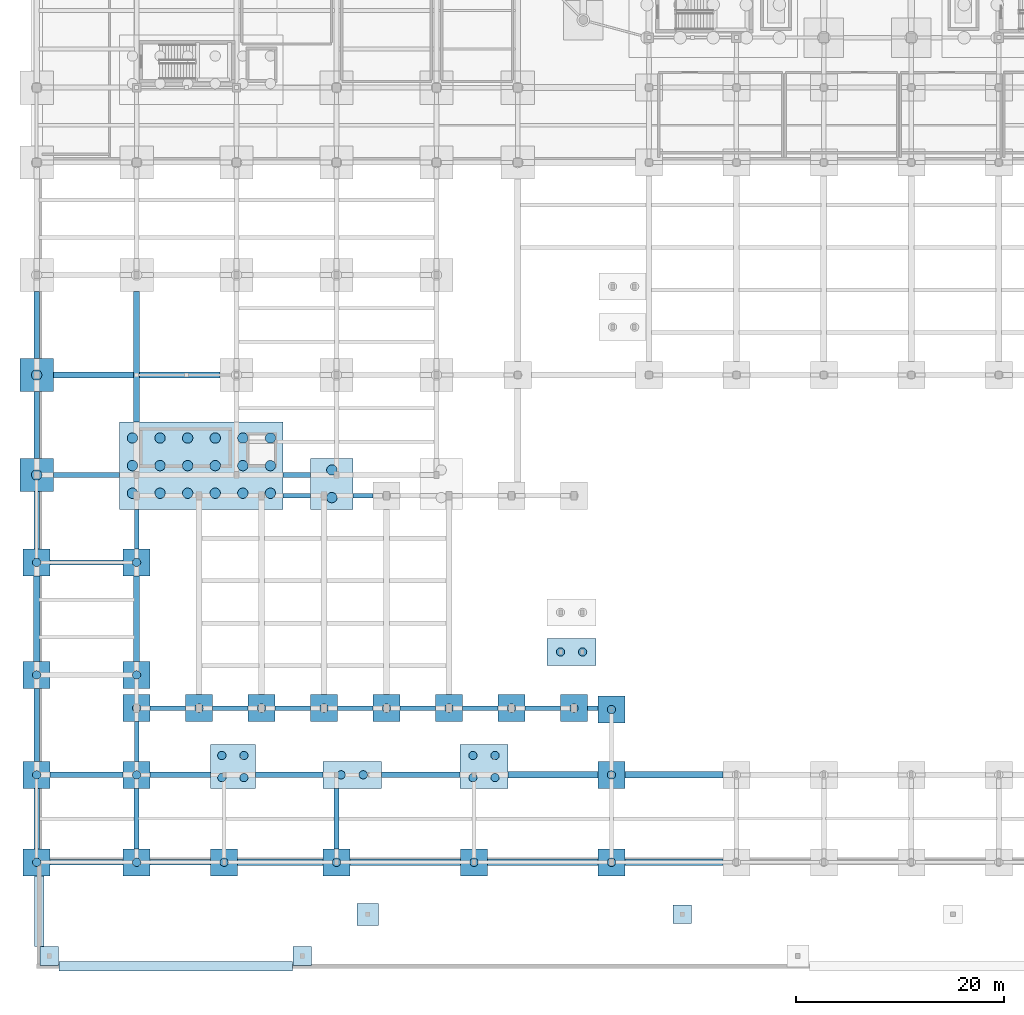
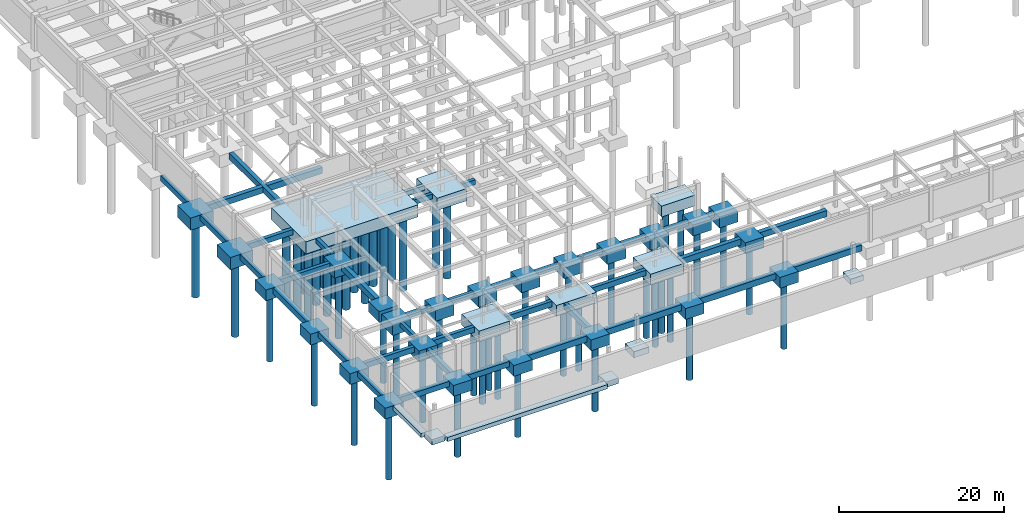
# One storey, part 1 of 37: 74 footings, 56 piles.
"""IFC4 building model written with IfcOpenShell, lengths in metres."""

from ifc_helpers import new_model, si_unit, direction, frame, origin, origin_2d, place, context, subcontext, project, spatial, rectangle, circle, extrude, material, material_profile, profile_set, type_object, element, save


model = new_model("IFC4")

# Units and contexts
model_context = context("Model", 3, precision=1e-05, world=origin(), true_north=direction((0.0, 1.0)))
body_context = subcontext(model_context, "Body", "Model", "MODEL_VIEW")
ifc_project = project(units=[si_unit("LENGTHUNIT", "METRE"), si_unit("AREAUNIT", "SQUARE_METRE"), si_unit("VOLUMEUNIT", "CUBIC_METRE"), si_unit("PLANEANGLEUNIT", "RADIAN"), si_unit("MASSUNIT", "GRAM", prefix="KILO")], contexts=[model_context])

# Site, building, storey
site_placement = place(None, origin())
site = spatial("IfcSite", under=ifc_project, at=site_placement, CompositionType="ELEMENT")
building_placement = place(site_placement, origin())
building = spatial("IfcBuilding", under=site, at=building_placement, Name="Tarnavel Promenade Courthouse", CompositionType="ELEMENT")
storey_placement = place(building_placement, frame((0.0, 0.0, -4.800048828125)))
storey = spatial("IfcBuildingStorey", under=building, at=storey_placement, Name="B01", CompositionType="ELEMENT", Elevation=-4.800048828125)

# Piles
ifc_material_1 = material(Name="Concrete C30/37", Category="concrete")
ifc_material_profile_1 = material_profile(ifc_material_1, circle(Radius=0.5, at=origin_2d()), Name="PILE D1000")
ifc_profile_set_1 = profile_set([ifc_material_profile_1], Name="Concrete C30/37")
pile_type_1 = type_object("IfcPileType", Name="Concrete C30/37 PIL-D1000 (PILE D1000)", PredefinedType="BORED", material=ifc_profile_set_1)
for number, where, z_axis, x_axis, name in (
    (1, (9.199951171875, 35.445068359375, -2.119873046875), (0.0, 0.0, -1.0), (1.0, 0.0, 0.0), "Bored Pile 059-11"),
    (2, (9.199951171875, 38.094970703125, -2.119873046875), (0.0, 0.0, -1.0), (1.0, 0.0, 0.0), "Bored Pile 059-12"),
    (3, (9.199951171875, 40.7451171875, -2.119873046875), (0.0, 0.0, -1.0), (1.0, 0.0, 0.0), "Bored Pile 059-13"),
    (4, (11.85009765625, 35.445068359375, -2.119873046875), (0.0, 0.0, -1.0), (1.0, 0.0, 0.0), "Bored Pile 059-21"),
    (5, (11.85009765625, 38.094970703125, -2.119873046875), (0.0, 0.0, -1.0), (1.0, 0.0, 0.0), "Bored Pile 059-22"),
    (6, (11.85009765625, 40.7451171875, -2.119873046875), (0.0, 0.0, -1.0), (1.0, 0.0, 0.0), "Bored Pile 059-23"),
    (7, (14.5, 35.445068359375, -2.119873046875), (0.0, 0.0, -1.0), (1.0, 0.0, 0.0), "Bored Pile 059-31"),
    (8, (14.5, 38.094970703125, -2.119873046875), (0.0, 0.0, -1.0), (1.0, 0.0, 0.0), "Bored Pile 059-32"),
    (9, (14.5, 40.7451171875, -2.119873046875), (0.0, 0.0, -1.0), (1.0, 0.0, 0.0), "Bored Pile 059-33"),
    (10, (17.14990234375, 35.445068359375, -2.119873046875), (0.0, 0.0, -1.0), (1.0, 0.0, 0.0), "Bored Pile 059-41"),
    (11, (17.14990234375, 38.094970703125, -2.119873046875), (0.0, 0.0, -1.0), (1.0, 0.0, 0.0), "Bored Pile 059-42"),
    (12, (17.14990234375, 40.7451171875, -2.119873046875), (0.0, 0.0, -1.0), (1.0, 0.0, 0.0), "Bored Pile 059-43"),
    (13, (19.800048828125, 35.445068359375, -2.119873046875), (0.0, 0.0, -1.0), (1.0, 0.0, 0.0), "Bored Pile 059-51"),
    (14, (19.800048828125, 38.094970703125, -2.119873046875), (0.0, 0.0, -1.0), (1.0, 0.0, 0.0), "Bored Pile 059-52"),
    (15, (19.800048828125, 40.7451171875, -2.119873046875), (0.0, 0.0, -1.0), (1.0, 0.0, 0.0), "Bored Pile 059-53"),
    (16, (22.449951171875, 35.445068359375, -2.119873046875), (0.0, 0.0, -1.0), (1.0, 0.0, 0.0), "Bored Pile 059-61"),
    (17, (22.449951171875, 38.094970703125, -2.119873046875), (0.0, 0.0, -1.0), (1.0, 0.0, 0.0), "Bored Pile 059-62"),
    (18, (22.449951171875, 40.7451171875, -2.119873046875), (0.0, 0.0, -1.0), (1.0, 0.0, 0.0), "Bored Pile 059-63"),
    (19, (28.35009765625, 35.02490234375, -2.119873046875), (0.0, 0.0, -1.0), (1.0, 0.0, 0.0), "Bored Pile 060-11"),
    (20, (28.35009765625, 37.675048828125, -2.119873046875), (0.0, 0.0, -1.0), (1.0, 0.0, 0.0), "Bored Pile 060-12"),
    (21, (0.0, 37.199951171875, -2.119873046875), (0.0, 0.0, -1.0), (1.0, 0.0, 0.0), "Bored Pile 065-11"),
    (22, (0.0, 46.800048828125, -2.119873046875), (0.0, 0.0, -1.0), (1.0, 0.0, 0.0), "Bored Pile 074-11"),
):
    element("IfcPile", number, at=place(storey_placement, frame(where, z_axis=z_axis, x_axis=x_axis)), inside=storey, type_object=pile_type_1, Name=name, PredefinedType="BORED", context=body_context, shape_type="SweptSolid", body=[
        extrude(circle(Radius=0.5, at=origin_2d()), origin(), (0.0, 0.0, 1.0), 11.280029296875),
    ])
ifc_material_profile_2 = material_profile(ifc_material_1, circle(Radius=0.39990234375, at=origin_2d()), Name="PILE D800")
ifc_profile_set_2 = profile_set([ifc_material_profile_2], Name="Concrete C30/37")
pile_type_2 = type_object("IfcPileType", Name="Concrete C30/37 PIL-D800 (PILE D800)", PredefinedType="BORED", material=ifc_profile_set_2)
for number, where, z_axis, x_axis, name in (
    (23, (0.0, 0.0, -1.919921875), (0.0, 0.0, -1.0), (1.0, 0.0, 0.0), "Bored Pile 001-11"),
    (24, (9.60009765625, 0.0, -1.919921875), (0.0, 0.0, -1.0), (1.0, 0.0, 0.0), "Bored Pile 002-11"),
    (25, (18.0, 0.0, -1.919921875), (0.0, 0.0, -1.0), (1.0, 0.0, 0.0), "Bored Pile 003-11"),
    (26, (28.800048828125, 0.0, -1.919921875), (0.0, 0.0, -1.0), (1.0, 0.0, 0.0), "Bored Pile 004-11"),
    (27, (42.0, 0.0, -1.919921875), (0.0, 0.0, -1.0), (1.0, 0.0, 0.0), "Bored Pile 005-11"),
    (28, (55.199951171875, 0.0, -1.919921875), (0.0, 0.0, -1.0), (1.0, 0.0, 0.0), "Bored Pile 006-11"),
    (29, (0.0, 8.39990234375, -1.919921875), (0.0, 0.0, -1.0), (1.0, 0.0, 0.0), "Bored Pile 017-11"),
    (30, (9.60009765625, 8.39990234375, -1.919921875), (0.0, 0.0, -1.0), (1.0, 0.0, 0.0), "Bored Pile 018-11"),
    (31, (17.78369140625, 8.137451171875, -1.919921875), (0.0, 0.0, -1.0), (1.0, 0.0, 0.0), "Bored Pile 019-11"),
    (32, (17.78369140625, 10.25732421875, -1.919921875), (0.0, 0.0, -1.0), (1.0, 0.0, 0.0), "Bored Pile 019-12"),
    (33, (19.90380859375, 8.137451171875, -1.919921875), (0.0, 0.0, -1.0), (1.0, 0.0, 0.0), "Bored Pile 019-21"),
    (34, (19.90380859375, 10.25732421875, -1.919921875), (0.0, 0.0, -1.0), (1.0, 0.0, 0.0), "Bored Pile 019-22"),
    (35, (29.239990234375, 8.39990234375, -1.919921875), (0.0, 0.0, -1.0), (1.0, 0.0, 0.0), "Bored Pile 020-11"),
    (36, (31.360107421875, 8.39990234375, -1.919921875), (0.0, 0.0, -1.0), (1.0, 0.0, 0.0), "Bored Pile 020-21"),
    (37, (41.896484375, 8.137451171875, -1.919921875), (0.0, 0.0, -1.0), (1.0, 0.0, 0.0), "Bored Pile 021-11"),
    (38, (41.896484375, 10.25732421875, -1.919921875), (0.0, 0.0, -1.0), (1.0, 0.0, 0.0), "Bored Pile 021-12"),
    (39, (44.016357421875, 8.137451171875, -1.919921875), (0.0, 0.0, -1.0), (1.0, 0.0, 0.0), "Bored Pile 021-21"),
    (40, (44.016357421875, 10.25732421875, -1.919921875), (0.0, 0.0, -1.0), (1.0, 0.0, 0.0), "Bored Pile 021-22"),
    (41, (55.199951171875, 8.39990234375, -1.919921875), (0.0, 0.0, -1.0), (1.0, 0.0, 0.0), "Bored Pile 022-11"),
    (42, (55.199951171875, 14.669921875, -1.919921875), (0.0, 0.0, -1.0), (1.0, 0.0, 0.0), "Bored Pile 033-11"),
    (43, (9.60009765625, 14.800048828125, -1.919921875), (0.0, 0.0, -1.0), (1.0, 0.0, 0.0), "Bored Pile 034-11"),
    (44, (15.60009765625, 14.800048828125, -1.919921875), (0.0, 0.0, -1.0), (1.0, 0.0, 0.0), "Bored Pile 035-11"),
    (45, (21.60009765625, 14.800048828125, -1.919921875), (0.0, 0.0, -1.0), (1.0, 0.0, 0.0), "Bored Pile 036-11"),
    (46, (27.60009765625, 14.800048828125, -1.919921875), (0.0, 0.0, -1.0), (1.0, 0.0, 0.0), "Bored Pile 037-11"),
    (47, (33.60009765625, 14.800048828125, -1.919921875), (0.0, 0.0, -1.0), (1.0, 0.0, 0.0), "Bored Pile 038-11"),
    (48, (39.60009765625, 14.800048828125, -1.919921875), (0.0, 0.0, -1.0), (1.0, 0.0, 0.0), "Bored Pile 039-11"),
    (49, (45.60009765625, 14.800048828125, -1.919921875), (0.0, 0.0, -1.0), (1.0, 0.0, 0.0), "Bored Pile 040-11"),
    (50, (51.60009765625, 14.800048828125, -1.919921875), (0.0, 0.0, -1.0), (1.0, 0.0, 0.0), "Bored Pile 041-11"),
    (51, (0.0, 18.0, -1.919921875), (0.0, 0.0, -1.0), (1.0, 0.0, 0.0), "Bored Pile 042-11"),
    (52, (9.60009765625, 18.0, -1.919921875), (0.0, 0.0, -1.0), (1.0, 0.0, 0.0), "Bored Pile 043-11"),
    (53, (50.31005859375, 20.199951171875, -1.919921875), (0.0, 0.0, -1.0), (1.0, 0.0, 0.0), "Bored Pile 047-11"),
    (54, (52.429931640625, 20.199951171875, -1.919921875), (0.0, 0.0, -1.0), (1.0, 0.0, 0.0), "Bored Pile 047-21"),
    (55, (0.0, 28.800048828125, -1.919921875), (0.0, 0.0, -1.0), (1.0, 0.0, 0.0), "Bored Pile 057-11"),
    (56, (9.60009765625, 28.800048828125, -1.919921875), (0.0, 0.0, -1.0), (1.0, 0.0, 0.0), "Bored Pile 058-11"),
):
    element("IfcPile", number, at=place(storey_placement, frame(where, z_axis=z_axis, x_axis=x_axis)), inside=storey, type_object=pile_type_2, Name=name, PredefinedType="BORED", context=body_context, shape_type="SweptSolid", body=[
        extrude(circle(Radius=0.39990234375, at=origin_2d()), origin(), (0.0, 0.0, 1.0), 10.080078125),
    ])

# Footings
ifc_material_2 = material(Name="Concrete C35/45", Category="concrete")
ifc_material_profile_3 = material_profile(ifc_material_2, rectangle(XDim=0.449951171875, YDim=0.699951171875, at=origin_2d()), Name="GB 450x700")
ifc_profile_set_3 = profile_set([ifc_material_profile_3], Name="Concrete C35/45")
footing_type_1 = type_object("IfcFootingType", Name="Concrete C35/45 FTG-GB-450x700 (GB 450x700)", PredefinedType="FOOTING_BEAM", material=ifc_profile_set_3)
for number, where, z_axis, x_axis, name in (
    (57, (10.89990234375, 14.800048828125, -0.77001953125), (1.0, 0.0, 0.0), (0.0, 1.0, 0.0), "Seismic Ground Tie Beam GB-X-031"),
    (58, (16.89990234375, 14.800048828125, -0.77001953125), (1.0, 0.0, 0.0), (0.0, 1.0, 0.0), "Seismic Ground Tie Beam GB-X-032"),
    (59, (22.89990234375, 14.800048828125, -0.77001953125), (1.0, 0.0, 0.0), (0.0, 1.0, 0.0), "Seismic Ground Tie Beam GB-X-033"),
    (60, (28.89990234375, 14.800048828125, -0.77001953125), (1.0, 0.0, 0.0), (0.0, 1.0, 0.0), "Seismic Ground Tie Beam GB-X-034"),
    (61, (34.89990234375, 14.800048828125, -0.77001953125), (1.0, 0.0, 0.0), (0.0, 1.0, 0.0), "Seismic Ground Tie Beam GB-X-035"),
    (62, (40.89990234375, 14.800048828125, -0.77001953125), (1.0, 0.0, 0.0), (0.0, 1.0, 0.0), "Seismic Ground Tie Beam GB-X-036"),
    (63, (46.89990234375, 14.800048828125, -0.77001953125), (1.0, 0.0, 0.0), (0.0, 1.0, 0.0), "Seismic Ground Tie Beam GB-X-037"),
):
    element("IfcFooting", number, at=place(storey_placement, frame(where, z_axis=z_axis, x_axis=x_axis)), inside=storey, type_object=footing_type_1, Name=name, PredefinedType="FOOTING_BEAM", context=body_context, shape_type="SweptSolid", body=[
        extrude(rectangle(XDim=0.449951171875, YDim=0.699951171875, at=origin_2d()), origin(), (0.0, 0.0, 1.0), 3.400146484375),
    ])
footing_1_placement = place(storey_placement, frame((52.89990234375, 14.800048828125, -0.77001953125), z_axis=(1.0, 0.0, 0.0), x_axis=(0.0, 1.0, 0.0)))
element("IfcFooting", 64, at=footing_1_placement, inside=storey, type_object=footing_type_1, Name="Seismic Ground Tie Beam GB-X-038", PredefinedType="FOOTING_BEAM", context=body_context, shape_type="SweptSolid", body=[
    extrude(rectangle(XDim=0.449951171875, YDim=0.699951171875, at=origin_2d()), origin(), (0.0, 0.0, 1.0), 1.0),
])
footing_2_placement = place(storey_placement, frame((23.675048828125, 35.199951171875, -0.77001953125), z_axis=(1.0, 0.0, 0.0), x_axis=(0.0, 1.0, 0.0)))
element("IfcFooting", 65, at=footing_2_placement, inside=storey, type_object=footing_type_1, Name="Seismic Ground Tie Beam GB-X-047", PredefinedType="FOOTING_BEAM", context=body_context, shape_type="SweptSolid", body=[
    extrude(rectangle(XDim=0.449951171875, YDim=0.699951171875, at=origin_2d()), origin(), (0.0, 0.0, 1.0), 2.625),
])
footing_3_placement = place(storey_placement, frame((30.39990234375, 35.199951171875, -0.77001953125), z_axis=(1.0, 0.0, 0.0), x_axis=(0.0, 1.0, 0.0)))
element("IfcFooting", 66, at=footing_3_placement, inside=storey, type_object=footing_type_1, Name="Seismic Ground Tie Beam GB-X-048", PredefinedType="FOOTING_BEAM", context=body_context, shape_type="SweptSolid", body=[
    extrude(rectangle(XDim=0.449951171875, YDim=0.699951171875, at=origin_2d()), origin(), (0.0, 0.0, 1.0), 1.900146484375),
])
footing_4_placement = place(storey_placement, frame((23.675048828125, 37.199951171875, -0.77001953125), z_axis=(1.0, 0.0, 0.0), x_axis=(0.0, 1.0, 0.0)))
element("IfcFooting", 67, at=footing_4_placement, inside=storey, type_object=footing_type_1, Name="Seismic Ground Tie Beam GB-X-053", PredefinedType="FOOTING_BEAM", context=body_context, shape_type="SweptSolid", body=[
    extrude(rectangle(XDim=0.449951171875, YDim=0.699951171875, at=origin_2d()), origin(), (0.0, 0.0, 1.0), 2.625),
])
footing_5_placement = place(storey_placement, frame((9.60009765625, 9.699951171875, -0.77001953125), z_axis=(0.0, 1.0, 0.0), x_axis=(-1.0, 0.0, 0.0)))
element("IfcFooting", 68, at=footing_5_placement, inside=storey, type_object=footing_type_1, Name="Seismic Ground Tie Beam GB-Y-177", PredefinedType="FOOTING_BEAM", context=body_context, shape_type="SweptSolid", body=[
    extrude(rectangle(XDim=0.449951171875, YDim=0.699951171875, at=origin_2d()), origin(), (0.0, 0.0, 1.0), 3.800048828125),
])
footing_6_placement = place(storey_placement, frame((9.60009765625, 30.10009765625, -0.77001953125), z_axis=(0.0, 1.0, 0.0), x_axis=(-1.0, 0.0, 0.0)))
element("IfcFooting", 69, at=footing_6_placement, inside=storey, type_object=footing_type_1, Name="Seismic Ground Tie Beam GB-Y-179", PredefinedType="FOOTING_BEAM", context=body_context, shape_type="SweptSolid", body=[
    extrude(rectangle(XDim=0.449951171875, YDim=0.699951171875, at=origin_2d()), origin(), (0.0, 0.0, 1.0), 3.794921875),
])
ifc_material_profile_4 = material_profile(ifc_material_2, rectangle(XDim=0.5, YDim=0.800048828125, at=origin_2d()), Name="GB 500x800")
ifc_profile_set_4 = profile_set([ifc_material_profile_4], Name="Concrete C35/45")
footing_type_2 = type_object("IfcFootingType", Name="Concrete C35/45 FTG-GB-500x800 (GB 500x800)", PredefinedType="FOOTING_BEAM", material=ifc_profile_set_4)
footing_7_placement = place(storey_placement, frame((1.300048828125, 0.0, -0.820068359375), z_axis=(1.0, 0.0, 0.0), x_axis=(0.0, 1.0, 0.0)))
element("IfcFooting", 70, at=footing_7_placement, inside=storey, type_object=footing_type_2, Name="Seismic Ground Tie Beam GB-X-001", PredefinedType="FOOTING_BEAM", context=body_context, shape_type="SweptSolid", body=[
    extrude(rectangle(XDim=0.5, YDim=0.800048828125, at=origin_2d()), origin(), (0.0, 0.0, 1.0), 7.0),
])
footing_8_placement = place(storey_placement, frame((10.89990234375, 0.0, -0.820068359375), z_axis=(1.0, 0.0, 0.0), x_axis=(0.0, 1.0, 0.0)))
element("IfcFooting", 71, at=footing_8_placement, inside=storey, type_object=footing_type_2, Name="Seismic Ground Tie Beam GB-X-002", PredefinedType="FOOTING_BEAM", context=body_context, shape_type="SweptSolid", body=[
    extrude(rectangle(XDim=0.5, YDim=0.800048828125, at=origin_2d()), origin(), (0.0, 0.0, 1.0), 5.800048828125),
])
footing_9_placement = place(storey_placement, frame((1.300048828125, 8.39990234375, -0.820068359375), z_axis=(1.0, 0.0, 0.0), x_axis=(0.0, 1.0, 0.0)))
element("IfcFooting", 72, at=footing_9_placement, inside=storey, type_object=footing_type_2, Name="Seismic Ground Tie Beam GB-X-016", PredefinedType="FOOTING_BEAM", context=body_context, shape_type="SweptSolid", body=[
    extrude(rectangle(XDim=0.5, YDim=0.800048828125, at=origin_2d()), origin(), (0.0, 0.0, 1.0), 7.0),
])
footing_10_placement = place(storey_placement, frame((10.89990234375, 8.39990234375, -0.820068359375), z_axis=(1.0, 0.0, 0.0), x_axis=(0.0, 1.0, 0.0)))
element("IfcFooting", 73, at=footing_10_placement, inside=storey, type_object=footing_type_2, Name="Seismic Ground Tie Beam GB-X-017", PredefinedType="FOOTING_BEAM", context=body_context, shape_type="SweptSolid", body=[
    extrude(rectangle(XDim=0.5, YDim=0.800048828125, at=origin_2d()), origin(), (0.0, 0.0, 1.0), 5.793701171875),
])
footing_11_placement = place(storey_placement, frame((20.99365234375, 8.39990234375, -0.820068359375), z_axis=(1.0, 0.0, 0.0), x_axis=(0.0, 1.0, 0.0)))
element("IfcFooting", 74, at=footing_11_placement, inside=storey, type_object=footing_type_2, Name="Seismic Ground Tie Beam GB-X-018", PredefinedType="FOOTING_BEAM", context=body_context, shape_type="SweptSolid", body=[
    extrude(rectangle(XDim=0.5, YDim=0.800048828125, at=origin_2d()), origin(), (0.0, 0.0, 1.0), 6.50634765625),
])
footing_12_placement = place(storey_placement, frame((33.10009765625, 8.39990234375, -0.820068359375), z_axis=(1.0, 0.0, 0.0), x_axis=(0.0, 1.0, 0.0)))
element("IfcFooting", 75, at=footing_12_placement, inside=storey, type_object=footing_type_2, Name="Seismic Ground Tie Beam GB-X-019", PredefinedType="FOOTING_BEAM", context=body_context, shape_type="SweptSolid", body=[
    extrude(rectangle(XDim=0.5, YDim=0.800048828125, at=origin_2d()), origin(), (0.0, 0.0, 1.0), 7.556396484375),
])
footing_13_placement = place(storey_placement, frame((1.300048828125, 28.800048828125, -0.820068359375), z_axis=(1.0, 0.0, 0.0), x_axis=(0.0, 1.0, 0.0)))
element("IfcFooting", 76, at=footing_13_placement, inside=storey, type_object=footing_type_2, Name="Seismic Ground Tie Beam GB-X-039", PredefinedType="FOOTING_BEAM", context=body_context, shape_type="SweptSolid", body=[
    extrude(rectangle(XDim=0.5, YDim=0.800048828125, at=origin_2d()), origin(), (0.0, 0.0, 1.0), 7.0),
])
footing_14_placement = place(storey_placement, frame((1.60009765625, 37.199951171875, -0.820068359375), z_axis=(1.0, 0.0, 0.0), x_axis=(0.0, 1.0, 0.0)))
element("IfcFooting", 77, at=footing_14_placement, inside=storey, type_object=footing_type_2, Name="Seismic Ground Tie Beam GB-X-052", PredefinedType="FOOTING_BEAM", context=body_context, shape_type="SweptSolid", body=[
    extrude(rectangle(XDim=0.5, YDim=0.800048828125, at=origin_2d()), origin(), (0.0, 0.0, 1.0), 6.375),
])
footing_15_placement = place(storey_placement, frame((0.0, 1.300048828125, -0.820068359375), z_axis=(0.0, 1.0, 0.0), x_axis=(-1.0, 0.0, 0.0)))
element("IfcFooting", 78, at=footing_15_placement, inside=storey, type_object=footing_type_2, Name="Seismic Ground Tie Beam GB-Y-165", PredefinedType="FOOTING_BEAM", context=body_context, shape_type="SweptSolid", body=[
    extrude(rectangle(XDim=0.5, YDim=0.800048828125, at=origin_2d()), origin(), (0.0, 0.0, 1.0), 5.800048828125),
])
footing_16_placement = place(storey_placement, frame((0.0, 9.699951171875, -0.820068359375), z_axis=(0.0, 1.0, 0.0), x_axis=(-1.0, 0.0, 0.0)))
element("IfcFooting", 79, at=footing_16_placement, inside=storey, type_object=footing_type_2, Name="Seismic Ground Tie Beam GB-Y-166", PredefinedType="FOOTING_BEAM", context=body_context, shape_type="SweptSolid", body=[
    extrude(rectangle(XDim=0.5, YDim=0.800048828125, at=origin_2d()), origin(), (0.0, 0.0, 1.0), 7.0),
])
footing_17_placement = place(storey_placement, frame((0.0, 30.10009765625, -0.820068359375), z_axis=(0.0, 1.0, 0.0), x_axis=(-1.0, 0.0, 0.0)))
element("IfcFooting", 80, at=footing_17_placement, inside=storey, type_object=footing_type_2, Name="Seismic Ground Tie Beam GB-Y-168", PredefinedType="FOOTING_BEAM", context=body_context, shape_type="SweptSolid", body=[
    extrude(rectangle(XDim=0.5, YDim=0.800048828125, at=origin_2d()), origin(), (0.0, 0.0, 1.0), 5.5),
])
footing_18_placement = place(storey_placement, frame((0.0, 38.800048828125, -0.820068359375), z_axis=(0.0, 1.0, 0.0), x_axis=(-1.0, 0.0, 0.0)))
element("IfcFooting", 81, at=footing_18_placement, inside=storey, type_object=footing_type_2, Name="Seismic Ground Tie Beam GB-Y-169", PredefinedType="FOOTING_BEAM", context=body_context, shape_type="SweptSolid", body=[
    extrude(rectangle(XDim=0.5, YDim=0.800048828125, at=origin_2d()), origin(), (0.0, 0.0, 1.0), 6.39990234375),
])
footing_19_placement = place(storey_placement, frame((0.0, 48.39990234375, -0.820068359375), z_axis=(0.0, 1.0, 0.0), x_axis=(-1.0, 0.0, 0.0)))
element("IfcFooting", 82, at=footing_19_placement, inside=storey, type_object=footing_type_2, Name="Seismic Ground Tie Beam GB-Y-170", PredefinedType="FOOTING_BEAM", context=body_context, shape_type="SweptSolid", body=[
    extrude(rectangle(XDim=0.5, YDim=0.800048828125, at=origin_2d()), origin(), (0.0, 0.0, 1.0), 6.400146484375),
])
for number, where, z_axis, x_axis, name in (
    (83, (9.60009765625, 1.300048828125, -0.820068359375), (0.0, 1.0, 0.0), (-1.0, 0.0, 0.0), "Seismic Ground Tie Beam GB-Y-176"),
    (84, (28.800048828125, 1.300048828125, -0.820068359375), (0.0, 1.0, 0.0), (-1.0, 0.0, 0.0), "Seismic Ground Tie Beam GB-Y-193"),
):
    element("IfcFooting", number, at=place(storey_placement, frame(where, z_axis=z_axis, x_axis=x_axis)), inside=storey, type_object=footing_type_2, Name=name, PredefinedType="FOOTING_BEAM", context=body_context, shape_type="SweptSolid", body=[
        extrude(rectangle(XDim=0.5, YDim=0.800048828125, at=origin_2d()), origin(), (0.0, 0.0, 1.0), 5.800048828125),
    ])
ifc_material_profile_5 = material_profile(ifc_material_2, rectangle(XDim=0.60009765625, YDim=0.89990234375, at=origin_2d()), Name="GB 600x900")
ifc_profile_set_5 = profile_set([ifc_material_profile_5], Name="Concrete C35/45")
footing_type_3 = type_object("IfcFootingType", Name="Concrete C35/45 FTG-GB-600x900 (GB 600x900)", PredefinedType="FOOTING_BEAM", material=ifc_profile_set_5)
footing_20_placement = place(storey_placement, frame((19.300048828125, 0.0, -0.869873046875), z_axis=(1.0, 0.0, 0.0), x_axis=(0.0, 1.0, 0.0)))
element("IfcFooting", 85, at=footing_20_placement, inside=storey, type_object=footing_type_3, Name="Seismic Ground Tie Beam GB-X-003", PredefinedType="FOOTING_BEAM", context=body_context, shape_type="SweptSolid", body=[
    extrude(rectangle(XDim=0.60009765625, YDim=0.89990234375, at=origin_2d()), origin(), (0.0, 0.0, 1.0), 8.199951171875),
])
for number, where, z_axis, x_axis, name in (
    (86, (30.10009765625, 0.0, -0.869873046875), (1.0, 0.0, 0.0), (0.0, 1.0, 0.0), "Seismic Ground Tie Beam GB-X-004"),
    (87, (43.300048828125, 0.0, -0.869873046875), (1.0, 0.0, 0.0), (0.0, 1.0, 0.0), "Seismic Ground Tie Beam GB-X-005"),
):
    element("IfcFooting", number, at=place(storey_placement, frame(where, z_axis=z_axis, x_axis=x_axis)), inside=storey, type_object=footing_type_3, Name=name, PredefinedType="FOOTING_BEAM", context=body_context, shape_type="SweptSolid", body=[
        extrude(rectangle(XDim=0.60009765625, YDim=0.89990234375, at=origin_2d()), origin(), (0.0, 0.0, 1.0), 10.599853515625),
    ])
footing_21_placement = place(storey_placement, frame((56.5, 0.0, -0.869873046875), z_axis=(1.0, 0.0, 0.0), x_axis=(0.0, 1.0, 0.0)))
element("IfcFooting", 88, at=footing_21_placement, inside=storey, type_object=footing_type_3, Name="Seismic Ground Tie Beam GB-X-006", PredefinedType="FOOTING_BEAM", context=body_context, shape_type="SweptSolid", body=[
    extrude(rectangle(XDim=0.60009765625, YDim=0.89990234375, at=origin_2d()), origin(), (0.0, 0.0, 1.0), 9.39990234375),
])
footing_22_placement = place(storey_placement, frame((45.25634765625, 8.39990234375, -0.869873046875), z_axis=(1.0, 0.0, 0.0), x_axis=(0.0, 1.0, 0.0)))
element("IfcFooting", 89, at=footing_22_placement, inside=storey, type_object=footing_type_3, Name="Seismic Ground Tie Beam GB-X-020", PredefinedType="FOOTING_BEAM", context=body_context, shape_type="SweptSolid", body=[
    extrude(rectangle(XDim=0.60009765625, YDim=0.89990234375, at=origin_2d()), origin(), (0.0, 0.0, 1.0), 8.6435546875),
])
footing_23_placement = place(storey_placement, frame((56.5, 8.39990234375, -0.869873046875), z_axis=(1.0, 0.0, 0.0), x_axis=(0.0, 1.0, 0.0)))
element("IfcFooting", 90, at=footing_23_placement, inside=storey, type_object=footing_type_3, Name="Seismic Ground Tie Beam GB-X-021", PredefinedType="FOOTING_BEAM", context=body_context, shape_type="SweptSolid", body=[
    extrude(rectangle(XDim=0.60009765625, YDim=0.89990234375, at=origin_2d()), origin(), (0.0, 0.0, 1.0), 9.39990234375),
])
footing_24_placement = place(storey_placement, frame((1.60009765625, 46.800048828125, -0.869873046875), z_axis=(1.0, 0.0, 0.0), x_axis=(0.0, 1.0, 0.0)))
element("IfcFooting", 91, at=footing_24_placement, inside=storey, type_object=footing_type_3, Name="Seismic Ground Tie Beam GB-X-062", PredefinedType="FOOTING_BEAM", context=body_context, shape_type="SweptSolid", body=[
    extrude(rectangle(XDim=0.60009765625, YDim=0.89990234375, at=origin_2d()), origin(), (0.0, 0.0, 1.0), 16.0),
])
for number, where, z_axis, x_axis, name in (
    (92, (0.0, 19.300048828125, -0.869873046875), (0.0, 1.0, 0.0), (-1.0, 0.0, 0.0), "Seismic Ground Tie Beam GB-Y-167"),
    (93, (9.60009765625, 19.300048828125, -0.869873046875), (0.0, 1.0, 0.0), (-1.0, 0.0, 0.0), "Seismic Ground Tie Beam GB-Y-178"),
):
    element("IfcFooting", number, at=place(storey_placement, frame(where, z_axis=z_axis, x_axis=x_axis)), inside=storey, type_object=footing_type_3, Name=name, PredefinedType="FOOTING_BEAM", context=body_context, shape_type="SweptSolid", body=[
        extrude(rectangle(XDim=0.60009765625, YDim=0.89990234375, at=origin_2d()), origin(), (0.0, 0.0, 1.0), 8.199951171875),
    ])
footing_25_placement = place(storey_placement, frame((9.60009765625, 42.294921875, -0.869873046875), z_axis=(0.0, 1.0, 0.0), x_axis=(-1.0, 0.0, 0.0)))
element("IfcFooting", 94, at=footing_25_placement, inside=storey, type_object=footing_type_3, Name="Seismic Ground Tie Beam GB-Y-180", PredefinedType="FOOTING_BEAM", context=body_context, shape_type="SweptSolid", body=[
    extrude(rectangle(XDim=0.60009765625, YDim=0.89990234375, at=origin_2d()), origin(), (0.0, 0.0, 1.0), 12.505126953125),
])
footing_type_4 = type_object("IfcFootingType", Name="Concrete C35/45 FTG-PAD-1800 (1800x1800x800)", PredefinedType="PAD_FOOTING", material=ifc_material_2)
for number, where, z_axis, x_axis, name in (
    (95, (25.5, -9.0, -1.22021484375), (0.0, 0.0, 1.0), (1.0, 0.0, 0.0), "Frost-Depth Plinth Pad Footing PF-01"),
    (96, (62.0, -5.0, -1.22021484375), (0.0, 0.0, 1.0), (1.0, 0.0, 0.0), "Frost-Depth Plinth Pad Footing PF-03"),
    (97, (1.199951171875, -9.0, -1.22021484375), (0.0, 0.0, 1.0), (1.0, 0.0, 0.0), "Frost-Depth Plinth Pad Footing PF-09"),
):
    element("IfcFooting", number, at=place(storey_placement, frame(where, z_axis=z_axis, x_axis=x_axis)), inside=storey, type_object=footing_type_4, Name=name, PredefinedType="PAD_FOOTING", context=body_context, shape_type="SweptSolid", body=[
        extrude(rectangle(XDim=1.800048828125, YDim=1.800048828125, at=origin_2d()), origin(), (0.0, 0.0, 1.0), 0.800048828125),
    ])
footing_type_5 = type_object("IfcFootingType", Name="Concrete C35/45 FTG-PAD-2100 (2100x2100x900)", PredefinedType="PAD_FOOTING", material=ifc_material_2)
footing_26_placement = place(storey_placement, frame((31.800048828125, -5.0, -1.31982421875), z_axis=(0.0, 0.0, 1.0), x_axis=(1.0, 0.0, 0.0)))
element("IfcFooting", 98, at=footing_26_placement, inside=storey, type_object=footing_type_5, Name="Frost-Depth Plinth Pad Footing PF-02", PredefinedType="PAD_FOOTING", context=body_context, shape_type="SweptSolid", body=[
    extrude(rectangle(XDim=2.10009765625, YDim=2.10009765625, at=origin_2d()), origin(), (0.0, 0.0, 1.0), 0.89990234375),
])
ifc_material_profile_6 = material_profile(ifc_material_2, rectangle(XDim=0.89990234375, YDim=0.60009765625, at=origin_2d()), Name="SF 900x600")
ifc_profile_set_6 = profile_set([ifc_material_profile_6], Name="Concrete C35/45")
footing_type_6 = type_object("IfcFootingType", Name="Concrete C35/45 FTG-SF-900x600 (SF 900x600)", PredefinedType="STRIP_FOOTING", material=ifc_profile_set_6)
footing_27_placement = place(storey_placement, frame((2.14990234375, -9.97998046875, -0.719970703125), z_axis=(1.0, 0.0, 0.0), x_axis=(0.0, 1.0, 0.0)))
element("IfcFooting", 99, at=footing_27_placement, inside=storey, type_object=footing_type_6, Name="Plinth Frost-Skirt Strip Footing X-001", PredefinedType="STRIP_FOOTING", context=body_context, shape_type="SweptSolid", body=[
    extrude(rectangle(XDim=0.89990234375, YDim=0.60009765625, at=origin_2d()), origin(), (0.0, 0.0, 1.0), 22.400146484375),
])
footing_28_placement = place(storey_placement, frame((0.25, -8.10009765625, -0.719970703125), z_axis=(0.0, 1.0, 0.0), x_axis=(-1.0, 0.0, 0.0)))
element("IfcFooting", 100, at=footing_28_placement, inside=storey, type_object=footing_type_6, Name="Plinth Frost-Skirt Strip Footing Y-006", PredefinedType="STRIP_FOOTING", context=body_context, shape_type="SweptSolid", body=[
    extrude(rectangle(XDim=0.89990234375, YDim=0.60009765625, at=origin_2d()), origin(), (0.0, 0.0, 1.0), 6.800048828125),
])
footing_type_7 = type_object("IfcFootingType", Name="Concrete C35/45 Pile Cap PC-01 (2600x2600x1600)", PredefinedType="PILE_CAP", material=ifc_material_2)
for number, where, z_axis, x_axis, name in (
    (101, (0.0, 0.0, -2.02001953125), (0.0, 0.0, 1.0), (1.0, 0.0, 0.0), "Pile Cap 001"),
    (102, (9.60009765625, 0.0, -2.02001953125), (0.0, 0.0, 1.0), (1.0, 0.0, 0.0), "Pile Cap 002"),
    (103, (18.0, 0.0, -2.02001953125), (0.0, 0.0, 1.0), (1.0, 0.0, 0.0), "Pile Cap 003"),
    (104, (28.800048828125, 0.0, -2.02001953125), (0.0, 0.0, 1.0), (1.0, 0.0, 0.0), "Pile Cap 004"),
    (105, (42.0, 0.0, -2.02001953125), (0.0, 0.0, 1.0), (1.0, 0.0, 0.0), "Pile Cap 005"),
    (106, (55.199951171875, 0.0, -2.02001953125), (0.0, 0.0, 1.0), (1.0, 0.0, 0.0), "Pile Cap 006"),
    (107, (0.0, 8.39990234375, -2.02001953125), (0.0, 0.0, 1.0), (1.0, 0.0, 0.0), "Pile Cap 017"),
    (108, (9.60009765625, 8.39990234375, -2.02001953125), (0.0, 0.0, 1.0), (1.0, 0.0, 0.0), "Pile Cap 018"),
    (109, (55.199951171875, 8.39990234375, -2.02001953125), (0.0, 0.0, 1.0), (1.0, 0.0, 0.0), "Pile Cap 022"),
    (110, (55.199951171875, 14.669921875, -2.02001953125), (0.0, 0.0, 1.0), (1.0, 0.0, 0.0), "Pile Cap 033"),
    (111, (9.60009765625, 14.800048828125, -2.02001953125), (0.0, 0.0, 1.0), (1.0, 0.0, 0.0), "Pile Cap 034"),
    (112, (15.60009765625, 14.800048828125, -2.02001953125), (0.0, 0.0, 1.0), (1.0, 0.0, 0.0), "Pile Cap 035"),
    (113, (21.60009765625, 14.800048828125, -2.02001953125), (0.0, 0.0, 1.0), (1.0, 0.0, 0.0), "Pile Cap 036"),
    (114, (27.60009765625, 14.800048828125, -2.02001953125), (0.0, 0.0, 1.0), (1.0, 0.0, 0.0), "Pile Cap 037"),
    (115, (33.60009765625, 14.800048828125, -2.02001953125), (0.0, 0.0, 1.0), (1.0, 0.0, 0.0), "Pile Cap 038"),
    (116, (39.60009765625, 14.800048828125, -2.02001953125), (0.0, 0.0, 1.0), (1.0, 0.0, 0.0), "Pile Cap 039"),
    (117, (45.60009765625, 14.800048828125, -2.02001953125), (0.0, 0.0, 1.0), (1.0, 0.0, 0.0), "Pile Cap 040"),
    (118, (51.60009765625, 14.800048828125, -2.02001953125), (0.0, 0.0, 1.0), (1.0, 0.0, 0.0), "Pile Cap 041"),
    (119, (0.0, 18.0, -2.02001953125), (0.0, 0.0, 1.0), (1.0, 0.0, 0.0), "Pile Cap 042"),
    (120, (9.60009765625, 18.0, -2.02001953125), (0.0, 0.0, 1.0), (1.0, 0.0, 0.0), "Pile Cap 043"),
    (121, (0.0, 28.800048828125, -2.02001953125), (0.0, 0.0, 1.0), (1.0, 0.0, 0.0), "Pile Cap 057"),
    (122, (9.60009765625, 28.800048828125, -2.02001953125), (0.0, 0.0, 1.0), (1.0, 0.0, 0.0), "Pile Cap 058"),
):
    element("IfcFooting", number, at=place(storey_placement, frame(where, z_axis=z_axis, x_axis=x_axis)), inside=storey, type_object=footing_type_7, Name=name, PredefinedType="PILE_CAP", context=body_context, shape_type="SweptSolid", body=[
        extrude(rectangle(XDim=2.60009765625, YDim=2.60009765625, at=origin_2d()), origin(), (0.0, 0.0, 1.0), 1.60009765625),
    ])
footing_type_8 = type_object("IfcFootingType", Name="Concrete C35/45 Pile Cap PC-02 (4300x4200x1600)", PredefinedType="PILE_CAP", material=ifc_material_2)
footing_29_placement = place(storey_placement, frame((18.84375, 9.197509765625, -2.02001953125), z_axis=(0.0, 0.0, 1.0), x_axis=(1.0, 0.0, 0.0)))
element("IfcFooting", 123, at=footing_29_placement, inside=storey, type_object=footing_type_8, Name="Pile Cap 019", PredefinedType="PILE_CAP", context=body_context, shape_type="SweptSolid", body=[
    extrude(rectangle(XDim=4.300048828125, YDim=4.199951171875, at=origin_2d()), origin(), (0.0, 0.0, 1.0), 1.60009765625),
])
footing_type_9 = type_object("IfcFootingType", Name="Concrete C35/45 Pile Cap PC-03 (5600x2600x1600)", PredefinedType="PILE_CAP", material=ifc_material_2)
footing_30_placement = place(storey_placement, frame((30.300048828125, 8.39990234375, -2.02001953125), z_axis=(0.0, 0.0, 1.0), x_axis=(1.0, 0.0, 0.0)))
element("IfcFooting", 124, at=footing_30_placement, inside=storey, type_object=footing_type_9, Name="Pile Cap 020", PredefinedType="PILE_CAP", context=body_context, shape_type="SweptSolid", body=[
    extrude(rectangle(XDim=5.60009765625, YDim=2.60009765625, at=origin_2d()), origin(), (0.0, 0.0, 1.0), 1.60009765625),
])
footing_type_10 = type_object("IfcFootingType", Name="Concrete C35/45 Pile Cap PC-04 (4600x4200x1600)", PredefinedType="PILE_CAP", material=ifc_material_2)
footing_31_placement = place(storey_placement, frame((42.956298828125, 9.197509765625, -2.02001953125), z_axis=(0.0, 0.0, 1.0), x_axis=(1.0, 0.0, 0.0)))
element("IfcFooting", 125, at=footing_31_placement, inside=storey, type_object=footing_type_10, Name="Pile Cap 021", PredefinedType="PILE_CAP", context=body_context, shape_type="SweptSolid", body=[
    extrude(rectangle(XDim=4.60009765625, YDim=4.199951171875, at=origin_2d()), origin(), (0.0, 0.0, 1.0), 1.60009765625),
])
footing_type_11 = type_object("IfcFootingType", Name="Concrete C35/45 Pile Cap PC-05 (4700x2600x1600)", PredefinedType="PILE_CAP", material=ifc_material_2)
footing_32_placement = place(storey_placement, frame((51.3701171875, 20.199951171875, -2.02001953125), z_axis=(0.0, 0.0, 1.0), x_axis=(1.0, 0.0, 0.0)))
element("IfcFooting", 126, at=footing_32_placement, inside=storey, type_object=footing_type_11, Name="Pile Cap 047", PredefinedType="PILE_CAP", context=body_context, shape_type="SweptSolid", body=[
    extrude(rectangle(XDim=4.699951171875, YDim=2.60009765625, at=origin_2d()), origin(), (0.0, 0.0, 1.0), 1.60009765625),
])
footing_type_12 = type_object("IfcFootingType", Name="Concrete C35/45 Pile Cap PC-06 (3200x3200x1800)", PredefinedType="PILE_CAP", material=ifc_material_2)
for number, where, z_axis, x_axis, name in (
    (127, (0.0, 37.199951171875, -2.22021484375), (0.0, 0.0, 1.0), (1.0, 0.0, 0.0), "Pile Cap 065"),
    (128, (0.0, 46.800048828125, -2.22021484375), (0.0, 0.0, 1.0), (1.0, 0.0, 0.0), "Pile Cap 074"),
):
    element("IfcFooting", number, at=place(storey_placement, frame(where, z_axis=z_axis, x_axis=x_axis)), inside=storey, type_object=footing_type_12, Name=name, PredefinedType="PILE_CAP", context=body_context, shape_type="SweptSolid", body=[
        extrude(rectangle(XDim=3.199951171875, YDim=3.199951171875, at=origin_2d()), origin(), (0.0, 0.0, 1.0), 1.800048828125),
    ])
footing_type_13 = type_object("IfcFootingType", Name="Concrete C35/45 Pile Cap PC-07 (15700x8400x1800)", PredefinedType="PILE_CAP", material=ifc_material_2)
footing_33_placement = place(storey_placement, frame((15.824951171875, 38.094970703125, -2.22021484375), z_axis=(0.0, 0.0, 1.0), x_axis=(1.0, 0.0, 0.0)))
element("IfcFooting", 129, at=footing_33_placement, inside=storey, type_object=footing_type_13, Name="Pile Cap 059", PredefinedType="PILE_CAP", context=body_context, shape_type="SweptSolid", body=[
    extrude(rectangle(XDim=15.699951171875, YDim=8.39990234375, at=origin_2d()), origin(), (0.0, 0.0, 1.0), 1.800048828125),
])
footing_type_14 = type_object("IfcFootingType", Name="Concrete C35/45 Pile Cap PC-08 (4100x4900x1800)", PredefinedType="PILE_CAP", material=ifc_material_2)
footing_34_placement = place(storey_placement, frame((28.35009765625, 36.35009765625, -2.22021484375), z_axis=(0.0, 0.0, 1.0), x_axis=(1.0, 0.0, 0.0)))
element("IfcFooting", 130, at=footing_34_placement, inside=storey, type_object=footing_type_14, Name="Pile Cap 060", PredefinedType="PILE_CAP", context=body_context, shape_type="SweptSolid", body=[
    extrude(rectangle(XDim=4.10009765625, YDim=4.89990234375, at=origin_2d()), origin(), (0.0, 0.0, 1.0), 1.800048828125),
])

save(model, "model.ifc")
